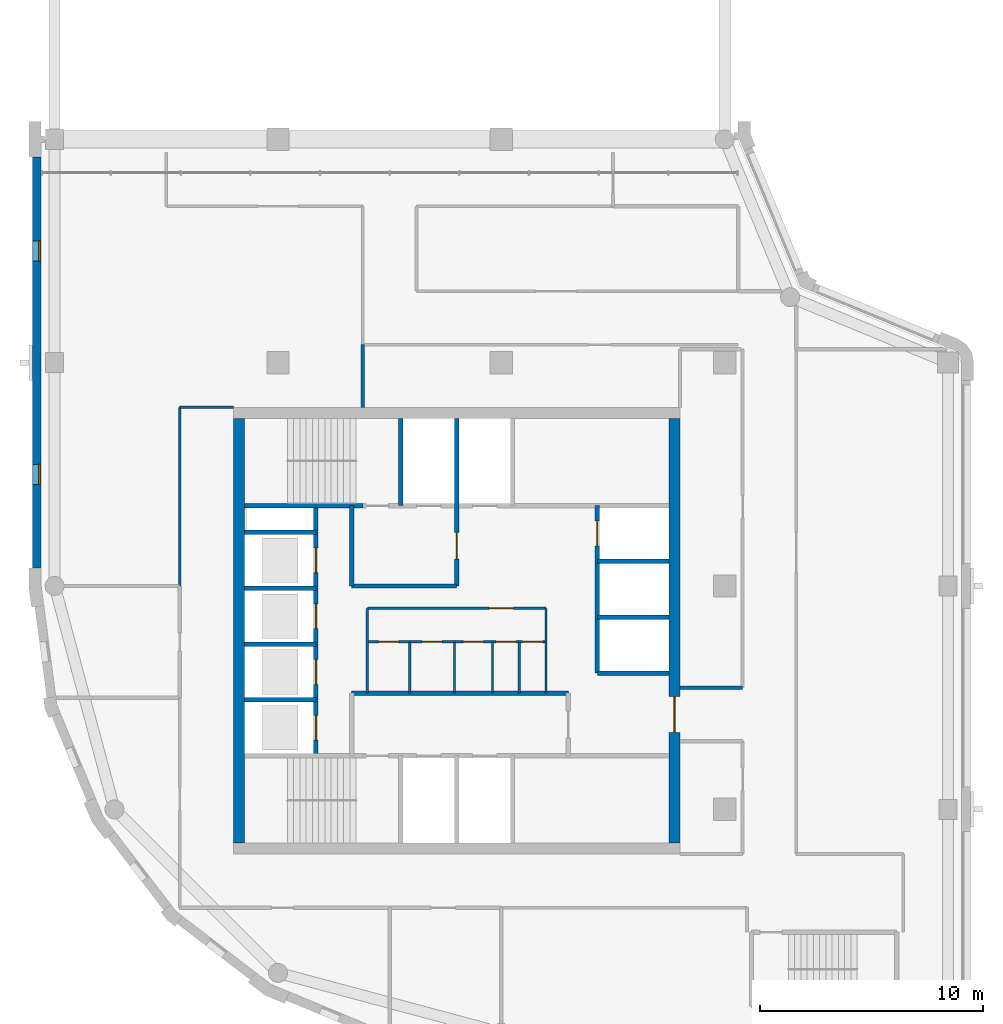
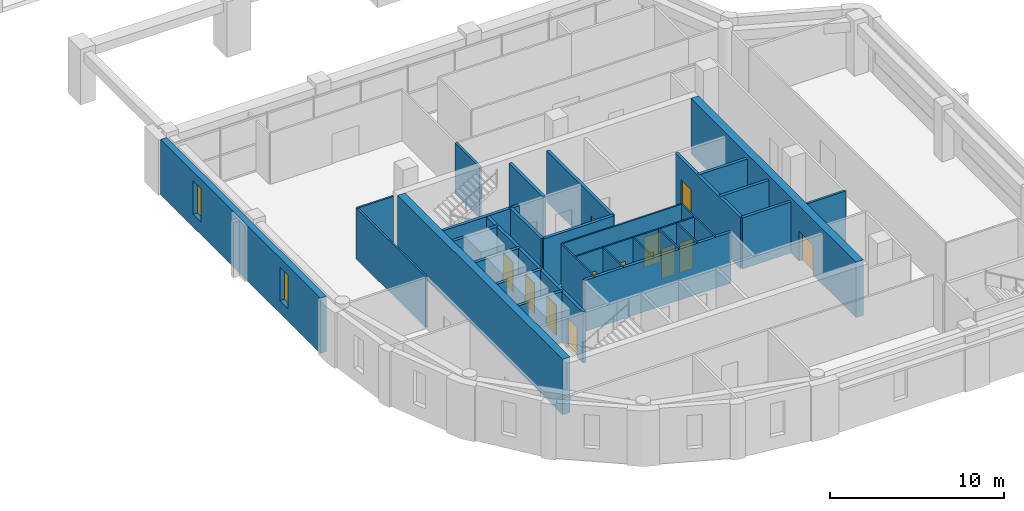
# One storey, part 6 of 11: 30 walls, 13 doors, 2 windows, 15 openings.
"""IFC4 building model written with IfcOpenShell, lengths in metres."""

from ifc_helpers import new_model, si_unit, direction, frame, frame_2d, origin, place, context, subcontext, project, spatial, rectangle, extrude, material, layer, layer_set, type_object, element, fill, save


model = new_model("IFC4")

# Units and contexts
model_context = context("Model", 3, precision=1e-05, world=origin(), true_north=direction((0.0, 1.0)))
body_context = subcontext(model_context, "Body", "Model", "MODEL_VIEW")
ifc_project = project(units=[si_unit("LENGTHUNIT", "METRE"), si_unit("AREAUNIT", "SQUARE_METRE"), si_unit("VOLUMEUNIT", "CUBIC_METRE"), si_unit("PLANEANGLEUNIT", "RADIAN"), si_unit("MASSUNIT", "GRAM", prefix="KILO")], contexts=[model_context])

# Site, building, storey
site_placement = place(None, origin())
site = spatial("IfcSite", under=ifc_project, at=site_placement, CompositionType="ELEMENT")
building_placement = place(site_placement, origin())
building = spatial("IfcBuilding", under=site, at=building_placement, Name="Qaws Garden Tower", CompositionType="ELEMENT")
storey_placement = place(building_placement, frame((0.0, 0.0, 317.699951171875)))
storey = spatial("IfcBuildingStorey", under=building, at=storey_placement, Name="L77", CompositionType="ELEMENT", Elevation=317.699951171875)

# Wall, openings, windows
ifc_material_1 = material(Name="Clay facing brick masonry", Category="masonry")
ifc_layer_1 = layer(ifc_material_1, 0.39990234375)
ifc_layer_set_1 = layer_set([ifc_layer_1], Name="Clay facing brick masonry")
wall_type_1 = type_object("IfcWallType", Name="Brick infill wall 400", PredefinedType="SOLIDWALL", material=ifc_layer_set_1)
wall_1_placement = place(storey_placement, frame((-0.800048828125, 39.199951171875, 0.0), z_axis=(0.0, 0.0, 1.0), x_axis=(0.0, -1.0, 0.0)))
wall_1 = element("IfcWall", 1, at=wall_1_placement, inside=storey, type_object=wall_type_1, Name="E-L77-infill-19", PredefinedType="SOLIDWALL", context=body_context, shape_type="SweptSolid", body=[
    extrude(rectangle(XDim=18.39990234375, YDim=0.39990234375, at=frame_2d((9.199951171875, 0.0))), origin(), (0.0, 0.0, 1.0), 3.900146484375),
])
opening_1_placement = place(wall_1_placement, frame((3.75, 0.0, 0.89990234375)))
opening_1 = element("IfcOpeningElement", 2, at=opening_1_placement, cuts=wall_1, Name="Opening W09", PredefinedType="OPENING", context=body_context, shape_type="SweptSolid", body=[
    extrude(rectangle(XDim=0.89990234375, YDim=2.35009765625, at=frame_2d((0.449951171875, 1.175048828125))), frame((0.0, 0.2099609375, 0.0), z_axis=(0.0, -1.0, 0.0), x_axis=(1.0, 0.0, 0.0)), (0.0, 0.0, 1.0), 0.419921875),
])
opening_2_placement = place(wall_1_placement, frame((13.75, 0.0, 0.89990234375)))
opening_2 = element("IfcOpeningElement", 3, at=opening_2_placement, cuts=wall_1, Name="Opening W09", PredefinedType="OPENING", context=body_context, shape_type="SweptSolid", body=[
    extrude(rectangle(XDim=0.89990234375, YDim=2.35009765625, at=frame_2d((0.449951171875, 1.175048828125))), frame((0.0, 0.2099609375, 0.0), z_axis=(0.0, -1.0, 0.0), x_axis=(1.0, 0.0, 0.0)), (0.0, 0.0, 1.0), 0.419921875),
])
ifc_material_2 = material(Name="Aluminium framed window, clear glazing", Category="aluminium")
window_type = type_object("IfcWindowType", Name="Slit window 900 x 2350", PartitioningType="SINGLE_PANEL", PredefinedType="WINDOW", material=ifc_material_2)
window_1_placement = place(opening_1_placement, origin())
window_1 = element("IfcWindow", 4, at=window_1_placement, inside=storey, type_object=window_type, Name="E-L77-window-19-0", OverallHeight=2.35009765625, OverallWidth=0.89990234375, PartitioningType="SINGLE_PANEL", PredefinedType="WINDOW", context=body_context, shape_type="SweptSolid", body=[
    extrude(rectangle(XDim=0.89990234375, YDim=2.35009765625, at=frame_2d((0.449951171875, 1.175048828125))), frame((0.0, 0.159912109375, 0.0), z_axis=(0.0, -1.0, 0.0), x_axis=(1.0, 0.0, 0.0)), (0.0, 0.0, 1.0), 0.06005859375),
])
fill(opening_1, window_1)
window_2_placement = place(opening_2_placement, origin())
window_2 = element("IfcWindow", 5, at=window_2_placement, inside=storey, type_object=window_type, Name="E-L77-window-20-0", OverallHeight=2.35009765625, OverallWidth=0.89990234375, PartitioningType="SINGLE_PANEL", PredefinedType="WINDOW", context=body_context, shape_type="SweptSolid", body=[
    extrude(rectangle(XDim=0.89990234375, YDim=2.35009765625, at=frame_2d((0.449951171875, 1.175048828125))), frame((0.0, 0.159912109375, 0.0), z_axis=(0.0, -1.0, 0.0), x_axis=(1.0, 0.0, 0.0)), (0.0, 0.0, 1.0), 0.06005859375),
])
fill(opening_2, window_2)

# Wall, openings, doors
ifc_material_3 = material(Name="Plasterboard")
ifc_layer_2 = layer(ifc_material_3, 0.10009765625)
ifc_layer_set_2 = layer_set([ifc_layer_2], Name="Plasterboard")
wall_type_2 = type_object("IfcWallType", Name="Core partition 100", PredefinedType="PARTITIONING", material=ifc_layer_set_2)
wall_2_placement = place(storey_placement, frame((14.0, 17.5, 0.0), z_axis=(0.0, 0.0, 1.0), x_axis=(1.0, 0.0, 0.0)))
wall_2 = element("IfcWall", 6, at=wall_2_placement, inside=storey, type_object=wall_type_2, Name="Core partition", PredefinedType="PARTITIONING", context=body_context, shape_type="SweptSolid", body=[
    extrude(rectangle(XDim=8.0, YDim=0.10009765625, at=frame_2d((4.0, 0.0))), origin(), (0.0, 0.0, 1.0), 3.580078125),
])
opening_3_placement = place(wall_2_placement, frame((0.5, 0.0, 0.0)))
opening_3 = element("IfcOpeningElement", 7, at=opening_3_placement, cuts=wall_2, Name="Opening WD18", PredefinedType="OPENING", context=body_context, shape_type="SweptSolid", body=[
    extrude(rectangle(XDim=0.89990234375, YDim=2.10009765625, at=frame_2d((0.449951171875, 1.050048828125))), frame((0.0, 0.06005859375, 0.0), z_axis=(0.0, -1.0, 0.0), x_axis=(1.0, 0.0, 0.0)), (0.0, 0.0, 1.0), 0.1201171875),
])
opening_4_placement = place(wall_2_placement, frame((2.449951171875, 0.0, 0.0)))
opening_4 = element("IfcOpeningElement", 8, at=opening_4_placement, cuts=wall_2, Name="Opening WD19", PredefinedType="OPENING", context=body_context, shape_type="SweptSolid", body=[
    extrude(rectangle(XDim=0.89990234375, YDim=2.10009765625, at=frame_2d((0.449951171875, 1.050048828125))), frame((0.0, 0.06005859375, 0.0), z_axis=(0.0, -1.0, 0.0), x_axis=(1.0, 0.0, 0.0)), (0.0, 0.0, 1.0), 0.1201171875),
])
opening_5_placement = place(wall_2_placement, frame((4.300048828125, 0.0, 0.0)))
opening_5 = element("IfcOpeningElement", 9, at=opening_5_placement, cuts=wall_2, Name="Opening WD20", PredefinedType="OPENING", context=body_context, shape_type="SweptSolid", body=[
    extrude(rectangle(XDim=0.89990234375, YDim=2.10009765625, at=frame_2d((0.449951171875, 1.050048828125))), frame((0.0, 0.06005859375, 0.0), z_axis=(0.0, -1.0, 0.0), x_axis=(1.0, 0.0, 0.0)), (0.0, 0.0, 1.0), 0.1201171875),
])
opening_6_placement = place(wall_2_placement, frame((5.75, 0.0, 0.0)))
opening_6 = element("IfcOpeningElement", 10, at=opening_6_placement, cuts=wall_2, Name="Opening WD21", PredefinedType="OPENING", context=body_context, shape_type="SweptSolid", body=[
    extrude(rectangle(XDim=0.89990234375, YDim=2.10009765625, at=frame_2d((0.449951171875, 1.050048828125))), frame((0.0, 0.06005859375, 0.0), z_axis=(0.0, -1.0, 0.0), x_axis=(1.0, 0.0, 0.0)), (0.0, 0.0, 1.0), 0.1201171875),
])
opening_7_placement = place(wall_2_placement, frame((6.949951171875, 0.0, 0.0)))
opening_7 = element("IfcOpeningElement", 11, at=opening_7_placement, cuts=wall_2, Name="Opening WD22", PredefinedType="OPENING", context=body_context, shape_type="SweptSolid", body=[
    extrude(rectangle(XDim=0.89990234375, YDim=2.10009765625, at=frame_2d((0.449951171875, 1.050048828125))), frame((0.0, 0.06005859375, 0.0), z_axis=(0.0, -1.0, 0.0), x_axis=(1.0, 0.0, 0.0)), (0.0, 0.0, 1.0), 0.1201171875),
])
ifc_material_4 = material(Name="Timber", Category="wood")
door_type_1 = type_object("IfcDoorType", Name="WC door 900x2100", OperationType="SINGLE_SWING_LEFT", PredefinedType="DOOR", material=ifc_material_4)
door_1_placement = place(opening_3_placement, frame((0.89990234375, 0.0, 0.0), z_axis=(0.0, 0.0, 1.0), x_axis=(-1.0, 0.0, 0.0)))
door_1 = element("IfcDoor", 12, at=door_1_placement, inside=storey, type_object=door_type_1, Name="Men's WC door", OperationType="SINGLE_SWING_LEFT", OverallHeight=2.10009765625, OverallWidth=0.89990234375, PredefinedType="DOOR", context=body_context, shape_type="SweptSolid", body=[
    extrude(rectangle(XDim=0.89990234375, YDim=2.10009765625, at=frame_2d((0.449951171875, 1.050048828125))), frame((0.0, 0.02490234375, 0.0), z_axis=(0.0, -1.0, 0.0), x_axis=(1.0, 0.0, 0.0)), (0.0, 0.0, 1.0), 0.050048828125),
])
fill(opening_3, door_1)
door_2_placement = place(opening_4_placement, frame((0.89990234375, 0.0, 0.0), z_axis=(0.0, 0.0, 1.0), x_axis=(-1.0, 0.0, 0.0)))
door_2 = element("IfcDoor", 13, at=door_2_placement, inside=storey, type_object=door_type_1, Name="Women's WC door", OperationType="SINGLE_SWING_LEFT", OverallHeight=2.10009765625, OverallWidth=0.89990234375, PredefinedType="DOOR", context=body_context, shape_type="SweptSolid", body=[
    extrude(rectangle(XDim=0.89990234375, YDim=2.10009765625, at=frame_2d((0.449951171875, 1.050048828125))), frame((0.0, 0.02490234375, 0.0), z_axis=(0.0, -1.0, 0.0), x_axis=(1.0, 0.0, 0.0)), (0.0, 0.0, 1.0), 0.050048828125),
])
fill(opening_4, door_2)
door_3_placement = place(opening_5_placement, frame((0.89990234375, 0.0, 0.0), z_axis=(0.0, 0.0, 1.0), x_axis=(-1.0, 0.0, 0.0)))
door_3 = element("IfcDoor", 14, at=door_3_placement, inside=storey, type_object=door_type_1, Name="Accessible WC door", OperationType="SINGLE_SWING_LEFT", OverallHeight=2.10009765625, OverallWidth=0.89990234375, PredefinedType="DOOR", context=body_context, shape_type="SweptSolid", body=[
    extrude(rectangle(XDim=0.89990234375, YDim=2.10009765625, at=frame_2d((0.449951171875, 1.050048828125))), frame((0.0, 0.02490234375, 0.0), z_axis=(0.0, -1.0, 0.0), x_axis=(1.0, 0.0, 0.0)), (0.0, 0.0, 1.0), 0.050048828125),
])
fill(opening_5, door_3)
door_4_placement = place(opening_6_placement, frame((0.89990234375, 0.0, 0.0), z_axis=(0.0, 0.0, 1.0), x_axis=(-1.0, 0.0, 0.0)))
door_4 = element("IfcDoor", 15, at=door_4_placement, inside=storey, type_object=door_type_1, Name="Linen store door", OperationType="SINGLE_SWING_LEFT", OverallHeight=2.10009765625, OverallWidth=0.89990234375, PredefinedType="DOOR", context=body_context, shape_type="SweptSolid", body=[
    extrude(rectangle(XDim=0.89990234375, YDim=2.10009765625, at=frame_2d((0.449951171875, 1.050048828125))), frame((0.0, 0.02490234375, 0.0), z_axis=(0.0, -1.0, 0.0), x_axis=(1.0, 0.0, 0.0)), (0.0, 0.0, 1.0), 0.050048828125),
])
fill(opening_6, door_4)
door_5_placement = place(opening_7_placement, frame((0.89990234375, 0.0, 0.0), z_axis=(0.0, 0.0, 1.0), x_axis=(-1.0, 0.0, 0.0)))
door_5 = element("IfcDoor", 16, at=door_5_placement, inside=storey, type_object=door_type_1, Name="Cleaner's store door", OperationType="SINGLE_SWING_LEFT", OverallHeight=2.10009765625, OverallWidth=0.89990234375, PredefinedType="DOOR", context=body_context, shape_type="SweptSolid", body=[
    extrude(rectangle(XDim=0.89990234375, YDim=2.10009765625, at=frame_2d((0.449951171875, 1.050048828125))), frame((0.0, 0.02490234375, 0.0), z_axis=(0.0, -1.0, 0.0), x_axis=(1.0, 0.0, 0.0)), (0.0, 0.0, 1.0), 0.050048828125),
])
fill(opening_7, door_5)

# Wall, opening, door
wall_3_placement = place(storey_placement, frame((14.0, 19.0, 0.0), z_axis=(0.0, 0.0, 1.0), x_axis=(1.0, 0.0, 0.0)))
wall_3 = element("IfcWall", 17, at=wall_3_placement, inside=storey, type_object=wall_type_2, Name="Core partition", PredefinedType="PARTITIONING", context=body_context, shape_type="SweptSolid", body=[
    extrude(rectangle(XDim=8.0, YDim=0.10009765625, at=frame_2d((4.0, 0.0))), origin(), (0.0, 0.0, 1.0), 3.580078125),
])
opening_8_placement = place(wall_3_placement, frame((5.449951171875, 0.0, 0.0)))
opening_8 = element("IfcOpeningElement", 18, at=opening_8_placement, cuts=wall_3, Name="Opening WL17", PredefinedType="OPENING", context=body_context, shape_type="SweptSolid", body=[
    extrude(rectangle(XDim=1.10009765625, YDim=2.10009765625, at=frame_2d((0.550048828125, 1.050048828125))), frame((0.0, 0.06005859375, 0.0), z_axis=(0.0, -1.0, 0.0), x_axis=(1.0, 0.0, 0.0)), (0.0, 0.0, 1.0), 0.1201171875),
])
ifc_material_5 = material(Name="Timber", Category="wood")
door_type_2 = type_object("IfcDoorType", Name="WC lobby door 1100x2100", OperationType="SINGLE_SWING_LEFT", PredefinedType="DOOR", material=ifc_material_5)
door_6_placement = place(opening_8_placement, frame((1.10009765625, 0.0, 0.0), z_axis=(0.0, 0.0, 1.0), x_axis=(-1.0, 0.0, 0.0)))
door_6 = element("IfcDoor", 19, at=door_6_placement, inside=storey, type_object=door_type_2, Name="WC lobby door", OperationType="SINGLE_SWING_LEFT", OverallHeight=2.10009765625, OverallWidth=1.10009765625, PredefinedType="DOOR", context=body_context, shape_type="SweptSolid", body=[
    extrude(rectangle(XDim=1.10009765625, YDim=2.10009765625, at=frame_2d((0.550048828125, 1.050048828125))), frame((0.0, 0.02490234375, 0.0), z_axis=(0.0, -1.0, 0.0), x_axis=(1.0, 0.0, 0.0)), (0.0, 0.0, 1.0), 0.050048828125),
])
fill(opening_8, door_6)

# Walls
wall_4_placement = place(storey_placement, frame((14.0, 15.199951171875, 0.0), z_axis=(0.0, 0.0, 1.0), x_axis=(0.0, 1.0, 0.0)))
element("IfcWall", 20, at=wall_4_placement, inside=storey, type_object=wall_type_2, Name="Core partition", PredefinedType="PARTITIONING", context=body_context, shape_type="SweptSolid", body=[
    extrude(rectangle(XDim=3.800048828125, YDim=0.10009765625, at=frame_2d((1.89990234375, 0.0))), origin(), (0.0, 0.0, 1.0), 3.580078125),
])
for number, where, z_axis, x_axis, name in (
    (21, (15.89990234375, 15.199951171875, 0.0), (0.0, 0.0, 1.0), (0.0, 1.0, 0.0), "Core partition"),
    (22, (17.89990234375, 15.199951171875, 0.0), (0.0, 0.0, 1.0), (0.0, 1.0, 0.0), "Core partition"),
    (23, (19.60009765625, 15.199951171875, 0.0), (0.0, 0.0, 1.0), (0.0, 1.0, 0.0), "Core partition"),
    (24, (20.800048828125, 15.199951171875, 0.0), (0.0, 0.0, 1.0), (0.0, 1.0, 0.0), "Core partition"),
):
    element("IfcWall", number, at=place(storey_placement, frame(where, z_axis=z_axis, x_axis=x_axis)), inside=storey, type_object=wall_type_2, Name=name, PredefinedType="PARTITIONING", context=body_context, shape_type="SweptSolid", body=[
        extrude(rectangle(XDim=2.300048828125, YDim=0.10009765625, at=frame_2d((1.14990234375, 0.0))), origin(), (0.0, 0.0, 1.0), 3.580078125),
    ])
wall_5_placement = place(storey_placement, frame((22.0, 15.199951171875, 0.0), z_axis=(0.0, 0.0, 1.0), x_axis=(0.0, 1.0, 0.0)))
element("IfcWall", 25, at=wall_5_placement, inside=storey, type_object=wall_type_2, Name="Core partition", PredefinedType="PARTITIONING", context=body_context, shape_type="SweptSolid", body=[
    extrude(rectangle(XDim=3.800048828125, YDim=0.10009765625, at=frame_2d((1.89990234375, 0.0))), origin(), (0.0, 0.0, 1.0), 3.580078125),
])
ifc_material_6 = material(Name="Concrete C60", Category="concrete")
ifc_layer_3 = layer(ifc_material_6, 0.199951171875)
ifc_layer_set_3 = layer_set([ifc_layer_3], Name="Concrete C60")
wall_type_3 = type_object("IfcWallType", Name="Core shaft wall 200 C60", PredefinedType="SHEAR", material=ifc_layer_set_3)
wall_6_placement = place(storey_placement, frame((8.5, 14.89990234375, 0.0), z_axis=(0.0, 0.0, 1.0), x_axis=(1.0, 0.0, 0.0)))
element("IfcWall", 26, at=wall_6_placement, inside=storey, type_object=wall_type_3, Name="Shaft wall", PredefinedType="SHEAR", context=body_context, shape_type="SweptSolid", body=[
    extrude(rectangle(XDim=3.199951171875, YDim=0.199951171875, at=frame_2d((1.60009765625, 0.0))), origin(), (0.0, 0.0, 1.0), 3.580078125),
])
wall_7_placement = place(storey_placement, frame((13.300048828125, 15.199951171875, 0.0), z_axis=(0.0, 0.0, 1.0), x_axis=(1.0, 0.0, 0.0)))
element("IfcWall", 27, at=wall_7_placement, inside=storey, type_object=wall_type_3, Name="Shaft wall", PredefinedType="SHEAR", context=body_context, shape_type="SweptSolid", body=[
    extrude(rectangle(XDim=9.699951171875, YDim=0.199951171875, at=frame_2d((4.85009765625, 0.0))), origin(), (0.0, 0.0, 1.0), 3.580078125),
])
for number, where, z_axis, x_axis, name in (
    (28, (24.300048828125, 16.10009765625, 0.0), (0.0, 0.0, 1.0), (1.0, 0.0, 0.0), "Shaft wall"),
    (29, (8.5, 17.39990234375, 0.0), (0.0, 0.0, 1.0), (1.0, 0.0, 0.0), "Shaft wall"),
    (30, (24.300048828125, 18.60009765625, 0.0), (0.0, 0.0, 1.0), (1.0, 0.0, 0.0), "Shaft wall"),
    (31, (8.5, 19.89990234375, 0.0), (0.0, 0.0, 1.0), (1.0, 0.0, 0.0), "Shaft wall"),
):
    element("IfcWall", number, at=place(storey_placement, frame(where, z_axis=z_axis, x_axis=x_axis)), inside=storey, type_object=wall_type_3, Name=name, PredefinedType="SHEAR", context=body_context, shape_type="SweptSolid", body=[
        extrude(rectangle(XDim=3.199951171875, YDim=0.199951171875, at=frame_2d((1.60009765625, 0.0))), origin(), (0.0, 0.0, 1.0), 3.580078125),
    ])
wall_8_placement = place(storey_placement, frame((13.300048828125, 20.0, 0.0), z_axis=(0.0, 0.0, 1.0), x_axis=(1.0, 0.0, 0.0)))
element("IfcWall", 32, at=wall_8_placement, inside=storey, type_object=wall_type_3, Name="Shaft wall", PredefinedType="SHEAR", context=body_context, shape_type="SweptSolid", body=[
    extrude(rectangle(XDim=4.699951171875, YDim=0.199951171875, at=frame_2d((2.35009765625, 0.0))), origin(), (0.0, 0.0, 1.0), 3.580078125),
])
for number, where, z_axis, x_axis, name in (
    (33, (24.300048828125, 21.10009765625, 0.0), (0.0, 0.0, 1.0), (1.0, 0.0, 0.0), "Shaft wall"),
    (34, (8.5, 22.39990234375, 0.0), (0.0, 0.0, 1.0), (1.0, 0.0, 0.0), "Shaft wall"),
):
    element("IfcWall", number, at=place(storey_placement, frame(where, z_axis=z_axis, x_axis=x_axis)), inside=storey, type_object=wall_type_3, Name=name, PredefinedType="SHEAR", context=body_context, shape_type="SweptSolid", body=[
        extrude(rectangle(XDim=3.199951171875, YDim=0.199951171875, at=frame_2d((1.60009765625, 0.0))), origin(), (0.0, 0.0, 1.0), 3.580078125),
    ])
wall_9_placement = place(storey_placement, frame((8.5, 23.60009765625, 0.0), z_axis=(0.0, 0.0, 1.0), x_axis=(1.0, 0.0, 0.0)))
element("IfcWall", 35, at=wall_9_placement, inside=storey, type_object=wall_type_3, Name="Shaft wall", PredefinedType="SHEAR", context=body_context, shape_type="SweptSolid", body=[
    extrude(rectangle(XDim=5.300048828125, YDim=0.199951171875, at=frame_2d((2.64990234375, 0.0))), origin(), (0.0, 0.0, 1.0), 3.580078125),
])

# Wall, openings, doors
wall_10_placement = place(storey_placement, frame((11.699951171875, 12.39990234375, 0.0), z_axis=(0.0, 0.0, 1.0), x_axis=(0.0, 1.0, 0.0)))
wall_10 = element("IfcWall", 36, at=wall_10_placement, inside=storey, type_object=wall_type_3, Name="Shaft wall", PredefinedType="SHEAR", context=body_context, shape_type="SweptSolid", body=[
    extrude(rectangle(XDim=11.2001953125, YDim=0.199951171875, at=frame_2d((5.60009765625, 0.0))), origin(), (0.0, 0.0, 1.0), 3.580078125),
])
opening_9_placement = place(wall_10_placement, frame((0.699951171875, 0.0, 0.0)))
opening_9 = element("IfcOpeningElement", 37, at=opening_9_placement, cuts=wall_10, Name="Opening LD01", PredefinedType="OPENING", context=body_context, shape_type="SweptSolid", body=[
    extrude(rectangle(XDim=1.10009765625, YDim=2.10009765625, at=frame_2d((0.550048828125, 1.050048828125))), frame((0.0, 0.10986328125, 0.0), z_axis=(0.0, -1.0, 0.0), x_axis=(1.0, 0.0, 0.0)), (0.0, 0.0, 1.0), 0.219970703125),
])
opening_10_placement = place(wall_10_placement, frame((3.199951171875, 0.0, 0.0)))
opening_10 = element("IfcOpeningElement", 38, at=opening_10_placement, cuts=wall_10, Name="Opening LD02", PredefinedType="OPENING", context=body_context, shape_type="SweptSolid", body=[
    extrude(rectangle(XDim=1.10009765625, YDim=2.10009765625, at=frame_2d((0.550048828125, 1.050048828125))), frame((0.0, 0.10986328125, 0.0), z_axis=(0.0, -1.0, 0.0), x_axis=(1.0, 0.0, 0.0)), (0.0, 0.0, 1.0), 0.219970703125),
])
opening_11_placement = place(wall_10_placement, frame((5.699951171875, 0.0, 0.0)))
opening_11 = element("IfcOpeningElement", 39, at=opening_11_placement, cuts=wall_10, Name="Opening LD03", PredefinedType="OPENING", context=body_context, shape_type="SweptSolid", body=[
    extrude(rectangle(XDim=1.10009765625, YDim=2.10009765625, at=frame_2d((0.550048828125, 1.050048828125))), frame((0.0, 0.10986328125, 0.0), z_axis=(0.0, -1.0, 0.0), x_axis=(1.0, 0.0, 0.0)), (0.0, 0.0, 1.0), 0.219970703125),
])
opening_12_placement = place(wall_10_placement, frame((8.199951171875, 0.0, 0.0)))
opening_12 = element("IfcOpeningElement", 40, at=opening_12_placement, cuts=wall_10, Name="Opening LD04", PredefinedType="OPENING", context=body_context, shape_type="SweptSolid", body=[
    extrude(rectangle(XDim=1.10009765625, YDim=2.10009765625, at=frame_2d((0.550048828125, 1.050048828125))), frame((0.0, 0.10986328125, 0.0), z_axis=(0.0, -1.0, 0.0), x_axis=(1.0, 0.0, 0.0)), (0.0, 0.0, 1.0), 0.219970703125),
])
ifc_material_7 = material(Name="Steel S235", Category="steel")
door_type_3 = type_object("IfcDoorType", Name="Landing door 1100x2100", OperationType="DOUBLE_DOOR_SLIDING", PredefinedType="DOOR", material=ifc_material_7)
door_7_placement = place(opening_9_placement, origin())
door_7 = element("IfcDoor", 41, at=door_7_placement, inside=storey, type_object=door_type_3, Name="Lift W1 landing door", OperationType="DOUBLE_DOOR_SLIDING", OverallHeight=2.10009765625, OverallWidth=1.10009765625, PredefinedType="DOOR", context=body_context, shape_type="SweptSolid", body=[
    extrude(rectangle(XDim=1.10009765625, YDim=2.10009765625, at=frame_2d((0.550048828125, 1.050048828125))), frame((0.0, 0.02490234375, 0.0), z_axis=(0.0, -1.0, 0.0), x_axis=(1.0, 0.0, 0.0)), (0.0, 0.0, 1.0), 0.050048828125),
])
fill(opening_9, door_7)
door_8_placement = place(opening_10_placement, origin())
door_8 = element("IfcDoor", 42, at=door_8_placement, inside=storey, type_object=door_type_3, Name="Lift W2 landing door", OperationType="DOUBLE_DOOR_SLIDING", OverallHeight=2.10009765625, OverallWidth=1.10009765625, PredefinedType="DOOR", context=body_context, shape_type="SweptSolid", body=[
    extrude(rectangle(XDim=1.10009765625, YDim=2.10009765625, at=frame_2d((0.550048828125, 1.050048828125))), frame((0.0, 0.02490234375, 0.0), z_axis=(0.0, -1.0, 0.0), x_axis=(1.0, 0.0, 0.0)), (0.0, 0.0, 1.0), 0.050048828125),
])
fill(opening_10, door_8)
door_9_placement = place(opening_11_placement, origin())
door_9 = element("IfcDoor", 43, at=door_9_placement, inside=storey, type_object=door_type_3, Name="Lift W3 landing door", OperationType="DOUBLE_DOOR_SLIDING", OverallHeight=2.10009765625, OverallWidth=1.10009765625, PredefinedType="DOOR", context=body_context, shape_type="SweptSolid", body=[
    extrude(rectangle(XDim=1.10009765625, YDim=2.10009765625, at=frame_2d((0.550048828125, 1.050048828125))), frame((0.0, 0.02490234375, 0.0), z_axis=(0.0, -1.0, 0.0), x_axis=(1.0, 0.0, 0.0)), (0.0, 0.0, 1.0), 0.050048828125),
])
fill(opening_11, door_9)
door_10_placement = place(opening_12_placement, origin())
door_10 = element("IfcDoor", 44, at=door_10_placement, inside=storey, type_object=door_type_3, Name="Lift W4 landing door", OperationType="DOUBLE_DOOR_SLIDING", OverallHeight=2.10009765625, OverallWidth=1.10009765625, PredefinedType="DOOR", context=body_context, shape_type="SweptSolid", body=[
    extrude(rectangle(XDim=1.10009765625, YDim=2.10009765625, at=frame_2d((0.550048828125, 1.050048828125))), frame((0.0, 0.02490234375, 0.0), z_axis=(0.0, -1.0, 0.0), x_axis=(1.0, 0.0, 0.0)), (0.0, 0.0, 1.0), 0.050048828125),
])
fill(opening_12, door_10)

# Walls
wall_11_placement = place(storey_placement, frame((13.300048828125, 20.0, 0.0), z_axis=(0.0, 0.0, 1.0), x_axis=(0.0, 1.0, 0.0)))
element("IfcWall", 45, at=wall_11_placement, inside=storey, type_object=wall_type_3, Name="Shaft wall", PredefinedType="SHEAR", context=body_context, shape_type="SweptSolid", body=[
    extrude(rectangle(XDim=3.60009765625, YDim=0.199951171875, at=frame_2d((1.800048828125, 0.0))), origin(), (0.0, 0.0, 1.0), 3.580078125),
])
wall_12_placement = place(storey_placement, frame((15.5, 23.60009765625, 0.0), z_axis=(0.0, 0.0, 1.0), x_axis=(0.0, 1.0, 0.0)))
element("IfcWall", 46, at=wall_12_placement, inside=storey, type_object=wall_type_3, Name="Shaft wall", PredefinedType="SHEAR", context=body_context, shape_type="SweptSolid", body=[
    extrude(rectangle(XDim=3.89990234375, YDim=0.199951171875, at=frame_2d((1.949951171875, 0.0))), origin(), (0.0, 0.0, 1.0), 3.580078125),
])

# Wall, opening, door
wall_13_placement = place(storey_placement, frame((18.0, 20.0, 0.0), z_axis=(0.0, 0.0, 1.0), x_axis=(0.0, 1.0, 0.0)))
wall_13 = element("IfcWall", 47, at=wall_13_placement, inside=storey, type_object=wall_type_3, Name="Shaft wall", PredefinedType="SHEAR", context=body_context, shape_type="SweptSolid", body=[
    extrude(rectangle(XDim=7.5, YDim=0.199951171875, at=frame_2d((3.75, 0.0))), origin(), (0.0, 0.0, 1.0), 3.580078125),
])
opening_13_placement = place(wall_13_placement, frame((1.199951171875, 0.0, 0.0)))
opening_13 = element("IfcOpeningElement", 48, at=opening_13_placement, cuts=wall_13, Name="Opening FD16", PredefinedType="OPENING", context=body_context, shape_type="SweptSolid", body=[
    extrude(rectangle(XDim=1.199951171875, YDim=2.10009765625, at=frame_2d((0.60009765625, 1.050048828125))), frame((0.0, 0.10986328125, 0.0), z_axis=(0.0, -1.0, 0.0), x_axis=(1.0, 0.0, 0.0)), (0.0, 0.0, 1.0), 0.219970703125),
])
ifc_material_8 = material(Name="Steel S235", Category="steel")
door_type_4 = type_object("IfcDoorType", Name="Lobby door 1200x2100", OperationType="DOUBLE_DOOR_SINGLE_SWING", PredefinedType="DOOR", material=ifc_material_8)
door_11_placement = place(opening_13_placement, origin())
door_11 = element("IfcDoor", 49, at=door_11_placement, inside=storey, type_object=door_type_4, Name="Fire-fighting lobby door", OperationType="DOUBLE_DOOR_SINGLE_SWING", OverallHeight=2.10009765625, OverallWidth=1.199951171875, PredefinedType="DOOR", context=body_context, shape_type="SweptSolid", body=[
    extrude(rectangle(XDim=1.199951171875, YDim=2.10009765625, at=frame_2d((0.60009765625, 1.050048828125))), frame((0.0, 0.02490234375, 0.0), z_axis=(0.0, -1.0, 0.0), x_axis=(1.0, 0.0, 0.0)), (0.0, 0.0, 1.0), 0.050048828125),
])
fill(opening_13, door_11)

wall_14_placement = place(storey_placement, frame((24.300048828125, 16.10009765625, 0.0), z_axis=(0.0, 0.0, 1.0), x_axis=(0.0, 1.0, 0.0)))
wall_14 = element("IfcWall", 50, at=wall_14_placement, inside=storey, type_object=wall_type_3, Name="Shaft wall", PredefinedType="SHEAR", context=body_context, shape_type="SweptSolid", body=[
    extrude(rectangle(XDim=7.5, YDim=0.199951171875, at=frame_2d((3.75, 0.0))), origin(), (0.0, 0.0, 1.0), 3.580078125),
])
opening_14_placement = place(wall_14_placement, frame((5.699951171875, 0.0, 0.0)))
opening_14 = element("IfcOpeningElement", 51, at=opening_14_placement, cuts=wall_14, Name="Opening LD05", PredefinedType="OPENING", context=body_context, shape_type="SweptSolid", body=[
    extrude(rectangle(XDim=1.10009765625, YDim=2.10009765625, at=frame_2d((0.550048828125, 1.050048828125))), frame((0.0, 0.10986328125, 0.0), z_axis=(0.0, -1.0, 0.0), x_axis=(1.0, 0.0, 0.0)), (0.0, 0.0, 1.0), 0.219970703125),
])
door_12_placement = place(opening_14_placement, origin())
door_12 = element("IfcDoor", 52, at=door_12_placement, inside=storey, type_object=door_type_3, Name="Lift E3 landing door", OperationType="DOUBLE_DOOR_SLIDING", OverallHeight=2.10009765625, OverallWidth=1.10009765625, PredefinedType="DOOR", context=body_context, shape_type="SweptSolid", body=[
    extrude(rectangle(XDim=1.10009765625, YDim=2.10009765625, at=frame_2d((0.550048828125, 1.050048828125))), frame((0.0, 0.02490234375, 0.0), z_axis=(0.0, -1.0, 0.0), x_axis=(1.0, 0.0, 0.0)), (0.0, 0.0, 1.0), 0.050048828125),
])
fill(opening_14, door_12)

ifc_material_9 = material(Name="Concrete C60", Category="concrete")
ifc_layer_4 = layer(ifc_material_9, 0.5)
ifc_layer_set_4 = layer_set([ifc_layer_4], Name="Concrete C60")
wall_type_4 = type_object("IfcWallType", Name="Core wall 500 C60", PredefinedType="SHEAR", material=ifc_layer_set_4)
wall_15_placement = place(storey_placement, frame((27.75, 8.5, 0.0), z_axis=(0.0, 0.0, 1.0), x_axis=(0.0, 1.0, 0.0)))
wall_15 = element("IfcWall", 53, at=wall_15_placement, inside=storey, type_object=wall_type_4, Name="Core wall L77 east", PredefinedType="SHEAR", context=body_context, shape_type="SweptSolid", body=[
    extrude(rectangle(XDim=19.0, YDim=0.5, at=frame_2d((9.5, 0.0))), origin(), (0.0, 0.0, 1.0), 3.900146484375),
])
opening_15_placement = place(wall_15_placement, frame((4.949951171875, 0.0, 0.0)))
opening_15 = element("IfcOpeningElement", 54, at=opening_15_placement, cuts=wall_15, Name="Opening ED23", PredefinedType="OPENING", context=body_context, shape_type="SweptSolid", body=[
    extrude(rectangle(XDim=1.60009765625, YDim=2.10009765625, at=frame_2d((0.800048828125, 1.050048828125))), frame((0.0, 0.260009765625, 0.0), z_axis=(0.0, -1.0, 0.0), x_axis=(1.0, 0.0, 0.0)), (0.0, 0.0, 1.0), 0.52001953125),
])
ifc_material_10 = material(Name="Steel S235", Category="steel")
door_type_5 = type_object("IfcDoorType", Name="Core entrance door 1600x2100", OperationType="DOUBLE_DOOR_SINGLE_SWING", PredefinedType="DOOR", material=ifc_material_10)
door_13_placement = place(opening_15_placement, origin())
door_13 = element("IfcDoor", 55, at=door_13_placement, inside=storey, type_object=door_type_5, Name="Core entrance door", OperationType="DOUBLE_DOOR_SINGLE_SWING", OverallHeight=2.10009765625, OverallWidth=1.60009765625, PredefinedType="DOOR", context=body_context, shape_type="SweptSolid", body=[
    extrude(rectangle(XDim=1.60009765625, YDim=2.10009765625, at=frame_2d((0.800048828125, 1.050048828125))), frame((0.0, 0.02490234375, 0.0), z_axis=(0.0, -1.0, 0.0), x_axis=(1.0, 0.0, 0.0)), (0.0, 0.0, 1.0), 0.050048828125),
])
fill(opening_15, door_13)

# Walls
wall_16_placement = place(storey_placement, frame((8.25, 27.5, 0.0), z_axis=(0.0, 0.0, 1.0), x_axis=(0.0, -1.0, 0.0)))
element("IfcWall", 56, at=wall_16_placement, inside=storey, type_object=wall_type_4, Name="Core wall L77 west", PredefinedType="SHEAR", context=body_context, shape_type="SweptSolid", body=[
    extrude(rectangle(XDim=19.0, YDim=0.5, at=frame_2d((9.5, 0.0))), origin(), (0.0, 0.0, 1.0), 3.900146484375),
])
ifc_material_11 = material(Name="Glass and aluminium framing", Category="aluminium")
ifc_layer_5 = layer(ifc_material_11, 0.1201171875)
ifc_layer_set_5 = layer_set([ifc_layer_5], Name="Glass and aluminium framing")
wall_type_5 = type_object("IfcWallType", Name="GLAZED PARTITION 120 EI 30", PredefinedType="PARTITIONING", material=ifc_layer_set_5)
wall_17_placement = place(storey_placement, frame((5.60009765625, 20.0, 0.0), z_axis=(0.0, 0.0, 1.0), x_axis=(0.0, 1.0, 0.0)))
element("IfcWall", 57, at=wall_17_placement, inside=storey, type_object=wall_type_5, Name="O-L77-wall-025", PredefinedType="PARTITIONING", context=body_context, shape_type="SweptSolid", body=[
    extrude(rectangle(XDim=8.0, YDim=0.1201171875, at=frame_2d((4.0, 0.0))), origin(), (0.0, 0.0, 1.0), 3.580078125),
])
wall_18_placement = place(storey_placement, frame((5.60009765625, 28.0, 0.0), z_axis=(0.0, 0.0, 1.0), x_axis=(1.0, 0.0, 0.0)))
element("IfcWall", 58, at=wall_18_placement, inside=storey, type_object=wall_type_5, Name="O-L77-wall-035", PredefinedType="PARTITIONING", context=body_context, shape_type="SweptSolid", body=[
    extrude(rectangle(XDim=2.39990234375, YDim=0.1201171875, at=frame_2d((1.199951171875, 0.0))), origin(), (0.0, 0.0, 1.0), 3.580078125),
])
ifc_material_12 = material(Name="Gypsum board partition")
ifc_layer_6 = layer(ifc_material_12, 0.14990234375)
ifc_layer_set_6 = layer_set([ifc_layer_6], Name="Gypsum board partition")
wall_type_6 = type_object("IfcWallType", Name="PARTITION 150 EI 60", PredefinedType="PARTITIONING", material=ifc_layer_set_6)
wall_19_placement = place(storey_placement, frame((13.800048828125, 28.0, 0.0), z_axis=(0.0, 0.0, 1.0), x_axis=(0.0, 1.0, 0.0)))
element("IfcWall", 59, at=wall_19_placement, inside=storey, type_object=wall_type_6, Name="O-L77-wall-002", PredefinedType="PARTITIONING", context=body_context, shape_type="SweptSolid", body=[
    extrude(rectangle(XDim=2.801025390625, YDim=0.14990234375, at=frame_2d((1.400390625, 0.0))), origin(), (0.0, 0.0, 1.0), 3.580078125),
])
wall_20_placement = place(storey_placement, frame((28.0, 15.449951171875, 0.0), z_axis=(0.0, 0.0, 1.0), x_axis=(1.0, 0.0, 0.0)))
element("IfcWall", 60, at=wall_20_placement, inside=storey, type_object=wall_type_6, Name="O-L77-wall-016", PredefinedType="PARTITIONING", context=body_context, shape_type="SweptSolid", body=[
    extrude(rectangle(XDim=2.800048828125, YDim=0.14990234375, at=frame_2d((1.39990234375, 0.0))), origin(), (0.0, 0.0, 1.0), 3.580078125),
])

save(model, "model.ifc")
